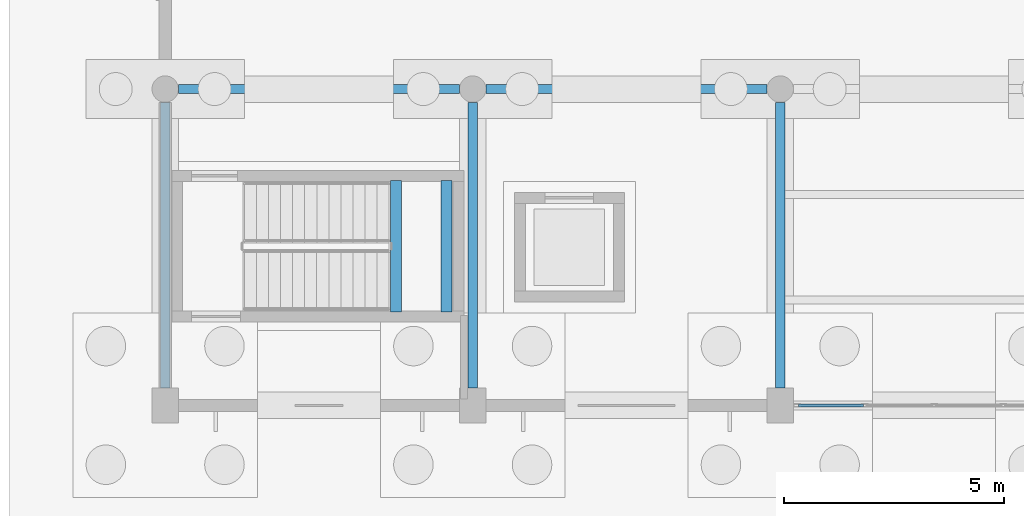
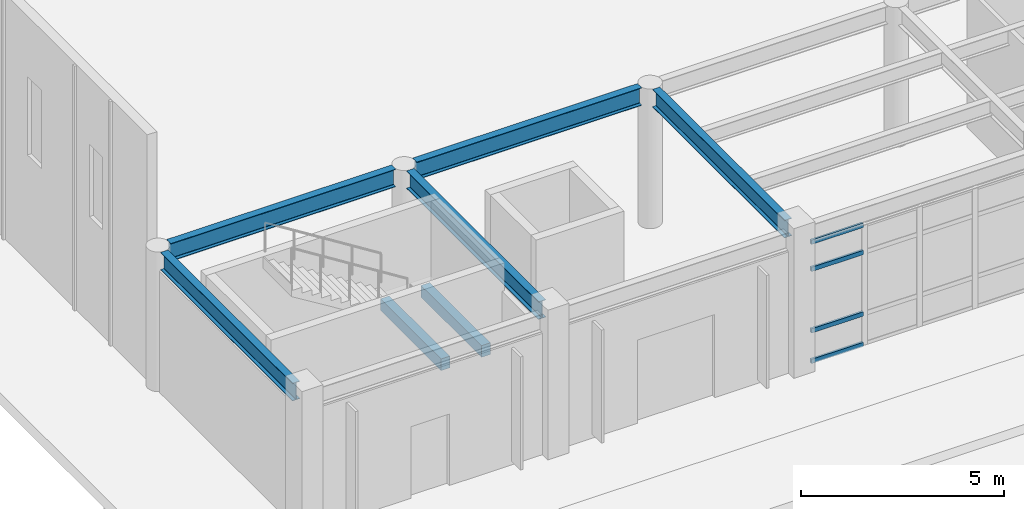
# One storey, part 14 of 154: 7 beams, 4 members, 1 element without a shape of its own.
"""IFC4 building model written with IfcOpenShell, lengths in metres."""

from ifc_helpers import new_model, si_unit, direction, frame, origin, origin_2d, place, context, subcontext, project, spatial, rectangle, hollow_rectangle, i_section, extrude, material, material_profile, profile_set, type_object, element, aggregate, save


model = new_model("IFC4")

# Units and contexts
model_context = context("Model", 3, precision=1e-05, world=origin(), true_north=direction((0.0, 1.0)))
body_context = subcontext(model_context, "Body", "Model", "MODEL_VIEW")
ifc_project = project(units=[si_unit("LENGTHUNIT", "METRE"), si_unit("AREAUNIT", "SQUARE_METRE"), si_unit("VOLUMEUNIT", "CUBIC_METRE"), si_unit("PLANEANGLEUNIT", "RADIAN"), si_unit("MASSUNIT", "GRAM", prefix="KILO")], contexts=[model_context])

# Site, building, storey
site_placement = place(None, origin())
site = spatial("IfcSite", under=ifc_project, at=site_placement, CompositionType="ELEMENT")
building_placement = place(site_placement, origin())
building = spatial("IfcBuilding", under=site, at=building_placement, Name="Kestramere Prow Commons", CompositionType="ELEMENT")
storey_placement = place(building_placement, origin())
storey = spatial("IfcBuildingStorey", under=building, at=storey_placement, Name="L00", CompositionType="ELEMENT", Elevation=0.0)

# Beams
ifc_material_1 = material(Name="Steel S355JR", Category="steel")
ifc_material_profile_1 = material_profile(ifc_material_1, i_section(OverallWidth=0.209228515625, OverallDepth=0.533203125, WebThickness=0.010009765625, FlangeThickness=0.015625, FilletRadius=0.0126953125, at=origin_2d()), Name="UB 533x210x92")
ifc_profile_set_1 = profile_set([ifc_material_profile_1], Name="Steel S355JR")
beam_type_1 = type_object("IfcBeamType", Name="BM-HL-GAL UB 533x210x92", PredefinedType="BEAM", material=ifc_profile_set_1)
for number, where, z_axis, x_axis, name in (
    (1, (2.5, 14.699951171875, 3.933349609375), (1.0, 0.0, 0.0), (0.0, 1.0, 0.0), "Hall Gallery Edge Girder 1"),
    (2, (9.5, 14.699951171875, 3.933349609375), (1.0, 0.0, 0.0), (0.0, 1.0, 0.0), "Hall Gallery Edge Girder 2"),
):
    element("IfcBeam", number, at=place(storey_placement, frame(where, z_axis=z_axis, x_axis=x_axis)), inside=storey, type_object=beam_type_1, Name=name, PredefinedType="BEAM", context=body_context, shape_type="SweptSolid", body=[
        extrude(i_section(OverallWidth=0.209228515625, OverallDepth=0.533203125, WebThickness=0.010009765625, FlangeThickness=0.015625, FilletRadius=0.0126953125, at=origin_2d()), origin(), (0.0, 0.0, 1.0), 6.39990234375),
    ])
for number, where, z_axis, x_axis, name in (
    (3, (2.199951171875, 7.89990234375, 3.933349609375), (0.0, 1.0, 0.0), (-1.0, 0.0, 0.0), "Hall Gallery Cross-Beam 1"),
    (4, (9.199951171875, 7.89990234375, 3.933349609375), (0.0, 1.0, 0.0), (-1.0, 0.0, 0.0), "Hall Gallery Cross-Beam 2"),
    (5, (16.199951171875, 7.89990234375, 3.933349609375), (0.0, 1.0, 0.0), (-1.0, 0.0, 0.0), "Hall Gallery Cross-Beam 3"),
):
    element("IfcBeam", number, at=place(storey_placement, frame(where, z_axis=z_axis, x_axis=x_axis)), inside=storey, type_object=beam_type_1, Name=name, PredefinedType="BEAM", context=body_context, shape_type="SweptSolid", body=[
        extrude(i_section(OverallWidth=0.209228515625, OverallDepth=0.533203125, WebThickness=0.010009765625, FlangeThickness=0.015625, FilletRadius=0.0126953125, at=origin_2d()), origin(), (0.0, 0.0, 1.0), 6.5),
    ])
ifc_material_2 = material(Name="Concrete C40/50", Category="concrete")
ifc_material_profile_2 = material_profile(ifc_material_2, rectangle(XDim=0.25, YDim=0.35009765625, at=origin_2d()), Name="PC-BM 250x350")
ifc_profile_set_2 = profile_set([ifc_material_profile_2], Name="Concrete C40/50")
beam_type_2 = type_object("IfcBeamType", Name="BM-ST-TRIM", PredefinedType="BEAM", material=ifc_profile_set_2)
for number, where, z_axis, x_axis, name in (
    (6, (7.449951171875, 9.6298828125, 1.875), (0.0, 1.0, 0.0), (-1.0, 0.0, 0.0), "ST-H1 L00 Landing Trimmer Beam 1A"),
    (7, (8.60009765625, 9.6298828125, 1.875), (0.0, 1.0, 0.0), (-1.0, 0.0, 0.0), "ST-H1 L00 Landing Trimmer Beam 1B"),
):
    element("IfcBeam", number, at=place(storey_placement, frame(where, z_axis=z_axis, x_axis=x_axis)), inside=storey, type_object=beam_type_2, Name=name, PredefinedType="BEAM", context=body_context, shape_type="SweptSolid", body=[
        extrude(rectangle(XDim=0.25, YDim=0.35009765625, at=origin_2d()), origin(), (0.0, 0.0, 1.0), 2.990234375),
    ])

# Curtain wall, members
ifc_material_3 = material(Name="Anodised Aluminium and Low-E Glass", Category="aluminium")
curtain_wall_type = type_object("IfcCurtainWallType", Name="CW-11 Glazed Curtain Wall 6300x3650", PredefinedType="USERDEFINED", material=ifc_material_3)
curtain_wall_placement = place(storey_placement, origin())
curtain_wall = element("IfcCurtainWall", 8, at=curtain_wall_placement, inside=storey, type_object=curtain_wall_type, Name="Hall South Foyer Curtain Wall 3", ObjectType="GLAZED CURTAIN WALL", PredefinedType="USERDEFINED")
ifc_material_4 = material(Name="Anodised Aluminium 6063-T6", Category="aluminium")
ifc_material_profile_3 = material_profile(ifc_material_4, hollow_rectangle(XDim=0.06494140625, YDim=0.1298828125, WallThickness=0.00390625, at=origin_2d()), Name="ALU-TRN 65x130")
ifc_profile_set_3 = profile_set([ifc_material_profile_3], Name="Anodised Aluminium 6063-T6")
member_type = type_object("IfcMemberType", Name="CW-TRN-65x130", PredefinedType="USERDEFINED", material=ifc_profile_set_3)
member_1_placement = place(storey_placement, frame((18.092529296875, 7.5, 0.032470703125), z_axis=(-1.0, 0.0, 0.0), x_axis=(0.0, -1.0, 0.0)))
member_1 = element("IfcMember", 9, at=member_1_placement, type_object=member_type, Name="CW-11 transom 4.1", ObjectType="TRANSOM", PredefinedType="USERDEFINED", context=body_context, shape_type="SweptSolid", body=[
    extrude(hollow_rectangle(XDim=0.06494140625, YDim=0.1298828125, WallThickness=0.00390625, at=origin_2d()), origin(), (0.0, 0.0, 1.0), 1.4775390625),
])
member_2_placement = place(storey_placement, frame((18.092529296875, 7.5, 0.949951171875), z_axis=(-1.0, 0.0, 0.0), x_axis=(0.0, -1.0, 0.0)))
member_2 = element("IfcMember", 10, at=member_2_placement, type_object=member_type, Name="CW-11 transom 4.2", ObjectType="TRANSOM", PredefinedType="USERDEFINED", context=body_context, shape_type="SweptSolid", body=[
    extrude(hollow_rectangle(XDim=0.06494140625, YDim=0.1298828125, WallThickness=0.00390625, at=origin_2d()), origin(), (0.0, 0.0, 1.0), 1.4775390625),
])
member_3_placement = place(storey_placement, frame((18.092529296875, 7.5, 2.800048828125), z_axis=(-1.0, 0.0, 0.0), x_axis=(0.0, -1.0, 0.0)))
member_3 = element("IfcMember", 11, at=member_3_placement, type_object=member_type, Name="CW-11 transom 4.3", ObjectType="TRANSOM", PredefinedType="USERDEFINED", context=body_context, shape_type="SweptSolid", body=[
    extrude(hollow_rectangle(XDim=0.06494140625, YDim=0.1298828125, WallThickness=0.00390625, at=origin_2d()), origin(), (0.0, 0.0, 1.0), 1.4775390625),
])
member_4_placement = place(storey_placement, frame((18.092529296875, 7.5, 3.617431640625), z_axis=(-1.0, 0.0, 0.0), x_axis=(0.0, -1.0, 0.0)))
member_4 = element("IfcMember", 12, at=member_4_placement, type_object=member_type, Name="CW-11 transom 4.4", ObjectType="TRANSOM", PredefinedType="USERDEFINED", context=body_context, shape_type="SweptSolid", body=[
    extrude(hollow_rectangle(XDim=0.06494140625, YDim=0.1298828125, WallThickness=0.00390625, at=origin_2d()), origin(), (0.0, 0.0, 1.0), 1.4775390625),
])
aggregate(curtain_wall, [member_1, member_2, member_3, member_4])

save(model, "model.ifc")
